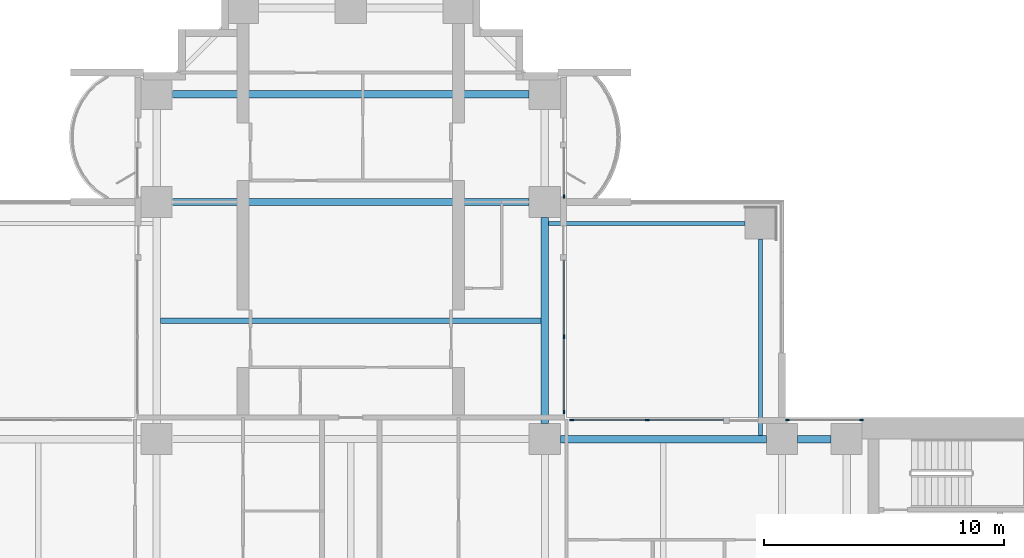
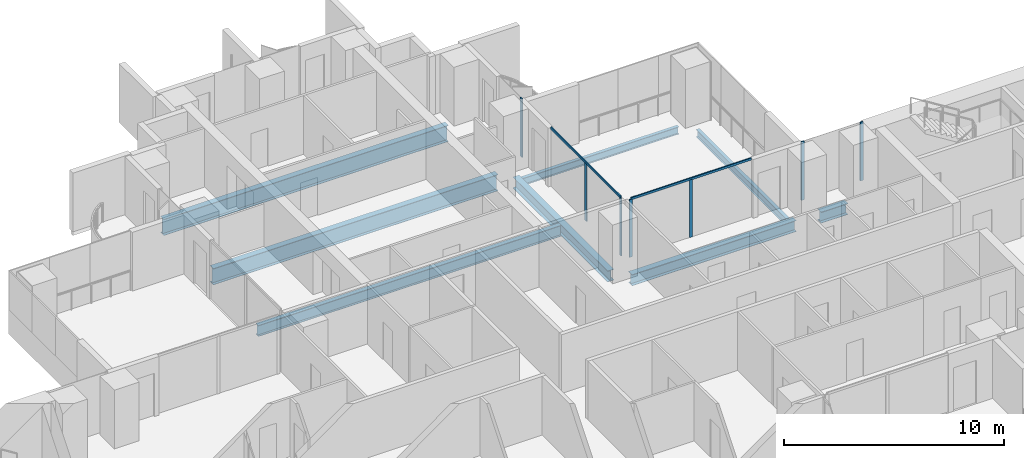
# One storey, part 6 of 21: 9 members, 8 beams, 4 elements without a shape of their own.
"""IFC4 building model written with IfcOpenShell, lengths in metres."""

from ifc_helpers import new_model, si_unit, direction, frame, origin, origin_2d, place, context, subcontext, project, spatial, rectangle, i_section, extrude, material, material_profile, profile_set, type_object, element, aggregate, save


model = new_model("IFC4")

# Units and contexts
model_context = context("Model", 3, precision=1e-05, world=origin(), true_north=direction((0.0, 1.0)))
body_context = subcontext(model_context, "Body", "Model", "MODEL_VIEW")
ifc_project = project(units=[si_unit("LENGTHUNIT", "METRE"), si_unit("AREAUNIT", "SQUARE_METRE"), si_unit("VOLUMEUNIT", "CUBIC_METRE"), si_unit("PLANEANGLEUNIT", "RADIAN"), si_unit("MASSUNIT", "GRAM", prefix="KILO")], contexts=[model_context])

# Site, building, storey
site_placement = place(None, origin())
site = spatial("IfcSite", under=ifc_project, at=site_placement, CompositionType="ELEMENT")
building_placement = place(site_placement, origin())
building = spatial("IfcBuilding", under=site, at=building_placement, Name="Perihelion Cross Residences", CompositionType="ELEMENT")
storey_placement = place(building_placement, frame((0.0, 0.0, 54.0)))
storey = spatial("IfcBuildingStorey", under=building, at=storey_placement, Name="L10", CompositionType="ELEMENT", Elevation=54.0)

# Curtain wall, members
ifc_material_1 = material(Name="Bronze anodised aluminium, tinted glazing", Category="aluminium")
curtain_wall_type = type_object("IfcCurtainWallType", Name="CW1", PredefinedType="NOTDEFINED", material=ifc_material_1)
curtain_wall_1_placement = place(storey_placement, origin())
curtain_wall_1 = element("IfcCurtainWall", 1, at=curtain_wall_1_placement, inside=storey, type_object=curtain_wall_type, Name="Curtain wall CW1 L10 east side north bay 1", PredefinedType="NOTDEFINED")
ifc_material_2 = material(Name="Bronze anodised aluminium", Category="aluminium")
ifc_material_profile_1 = material_profile(ifc_material_2, rectangle(XDim=0.06005859375, YDim=0.159912109375, at=origin_2d()), Name="CW1 mullion")
ifc_profile_set_1 = profile_set([ifc_material_profile_1], Name="Bronze anodised aluminium")
member_type_1 = type_object("IfcMemberType", Name="CW1 mullion", PredefinedType="MULLION", material=ifc_profile_set_1)
member_1_placement = place(storey_placement, frame((21.320068359375, 8.89990234375, 0.0), z_axis=(0.0, 0.0, 1.0), x_axis=(0.0, -1.0, 0.0)))
member_1 = element("IfcMember", 2, at=member_1_placement, type_object=member_type_1, Name="CW1 mullion 1", PredefinedType="MULLION", context=body_context, shape_type="SweptSolid", body=[
    extrude(rectangle(XDim=0.06005859375, YDim=0.159912109375, at=origin_2d()), origin(), (0.0, 0.0, 1.0), 3.25),
])
member_2_placement = place(storey_placement, frame((18.22998046875, 8.89990234375, 0.0), z_axis=(0.0, 0.0, 1.0), x_axis=(0.0, -1.0, 0.0)))
member_2 = element("IfcMember", 3, at=member_2_placement, type_object=member_type_1, Name="CW1 mullion 2", PredefinedType="MULLION", context=body_context, shape_type="SweptSolid", body=[
    extrude(rectangle(XDim=0.06005859375, YDim=0.159912109375, at=origin_2d()), origin(), (0.0, 0.0, 1.0), 3.25),
])
aggregate(curtain_wall_1, [member_1, member_2])

curtain_wall_2_placement = place(storey_placement, origin())
curtain_wall_2 = element("IfcCurtainWall", 4, at=curtain_wall_2_placement, inside=storey, type_object=curtain_wall_type, Name="Curtain wall CW1 L10 east side north bay 2", PredefinedType="NOTDEFINED")
member_3_placement = place(storey_placement, frame((12.375, 8.89990234375, 0.0), z_axis=(0.0, 0.0, 1.0), x_axis=(0.0, -1.0, 0.0)))
member_3 = element("IfcMember", 5, at=member_3_placement, type_object=member_type_1, Name="CW1 mullion 2", PredefinedType="MULLION", context=body_context, shape_type="SweptSolid", body=[
    extrude(rectangle(XDim=0.06005859375, YDim=0.159912109375, at=origin_2d()), origin(), (0.0, 0.0, 1.0), 3.18994140625),
])
member_4_placement = place(storey_placement, frame((9.22998046875, 8.89990234375, 0.0), z_axis=(0.0, 0.0, 1.0), x_axis=(0.0, -1.0, 0.0)))
member_4 = element("IfcMember", 6, at=member_4_placement, type_object=member_type_1, Name="CW1 mullion 3", PredefinedType="MULLION", context=body_context, shape_type="SweptSolid", body=[
    extrude(rectangle(XDim=0.06005859375, YDim=0.159912109375, at=origin_2d()), origin(), (0.0, 0.0, 1.0), 3.18994140625),
])

curtain_wall_3_placement = place(storey_placement, origin())
curtain_wall_3 = element("IfcCurtainWall", 7, at=curtain_wall_3_placement, inside=storey, type_object=curtain_wall_type, Name="Curtain wall CW1 L10 north side east bay 1", PredefinedType="NOTDEFINED")
member_5_placement = place(storey_placement, frame((8.89990234375, 9.22998046875, 0.0), z_axis=(0.0, 0.0, 1.0), x_axis=(-1.0, 0.0, 0.0)))
member_5 = element("IfcMember", 8, at=member_5_placement, type_object=member_type_1, Name="CW1 mullion 1", PredefinedType="MULLION", context=body_context, shape_type="SweptSolid", body=[
    extrude(rectangle(XDim=0.06005859375, YDim=0.159912109375, at=origin_2d()), origin(), (0.0, 0.0, 1.0), 3.18994140625),
])
member_6_placement = place(storey_placement, frame((8.89990234375, 12.375, 0.0), z_axis=(0.0, 0.0, 1.0), x_axis=(-1.0, 0.0, 0.0)))
member_6 = element("IfcMember", 9, at=member_6_placement, type_object=member_type_1, Name="CW1 mullion 2", PredefinedType="MULLION", context=body_context, shape_type="SweptSolid", body=[
    extrude(rectangle(XDim=0.06005859375, YDim=0.159912109375, at=origin_2d()), origin(), (0.0, 0.0, 1.0), 3.18994140625),
])

# Curtain wall, member
curtain_wall_4_placement = place(storey_placement, origin())
curtain_wall_4 = element("IfcCurtainWall", 10, at=curtain_wall_4_placement, inside=storey, type_object=curtain_wall_type, Name="Curtain wall CW1 L10 north side east bay 2", PredefinedType="NOTDEFINED")
member_7_placement = place(storey_placement, frame((8.89990234375, 18.22998046875, 0.0), z_axis=(0.0, 0.0, 1.0), x_axis=(-1.0, 0.0, 0.0)))
member_7 = element("IfcMember", 11, at=member_7_placement, type_object=member_type_1, Name="CW1 mullion 1", PredefinedType="MULLION", context=body_context, shape_type="SweptSolid", body=[
    extrude(rectangle(XDim=0.06005859375, YDim=0.159912109375, at=origin_2d()), origin(), (0.0, 0.0, 1.0), 3.25),
])
aggregate(curtain_wall_4, [member_7])

# Member
ifc_material_3 = material(Name="Bronze anodised aluminium", Category="aluminium")
ifc_material_profile_2 = material_profile(ifc_material_3, rectangle(XDim=0.06005859375, YDim=0.1201171875, at=origin_2d()), Name="CW1 transom")
ifc_profile_set_2 = profile_set([ifc_material_profile_2], Name="Bronze anodised aluminium")
member_type_2 = type_object("IfcMemberType", Name="CW1 transom", PredefinedType="USERDEFINED", material=ifc_profile_set_2)
member_8_placement = place(storey_placement, frame((15.550048828125, 8.89990234375, 3.219970703125), z_axis=(-1.0, 0.0, 0.0), x_axis=(0.0, -1.0, 0.0)))
member_8 = element("IfcMember", 12, at=member_8_placement, type_object=member_type_2, Name="CW1 head transom", ObjectType="TRANSOM", PredefinedType="USERDEFINED", context=body_context, shape_type="SweptSolid", body=[
    extrude(rectangle(XDim=0.06005859375, YDim=0.1201171875, at=origin_2d()), origin(), (0.0, 0.0, 1.0), 6.320068359375),
])

aggregate(curtain_wall_2, [member_3, member_4, member_8])

member_9_placement = place(storey_placement, frame((8.89990234375, 9.22998046875, 3.219970703125), z_axis=(0.0, 1.0, 0.0), x_axis=(-1.0, 0.0, 0.0)))
member_9 = element("IfcMember", 13, at=member_9_placement, type_object=member_type_2, Name="CW1 head transom", ObjectType="TRANSOM", PredefinedType="USERDEFINED", context=body_context, shape_type="SweptSolid", body=[
    extrude(rectangle(XDim=0.06005859375, YDim=0.1201171875, at=origin_2d()), origin(), (0.0, 0.0, 1.0), 6.320068359375),
])

aggregate(curtain_wall_3, [member_5, member_6, member_9])

# Beams
ifc_material_4 = material(Name="Steel S355", Category="steel")
ifc_material_profile_3 = material_profile(ifc_material_4, i_section(OverallWidth=0.177978515625, OverallDepth=0.406005859375, WebThickness=0.0078125, FlangeThickness=0.0126953125, at=origin_2d()), Name="W410x60")
ifc_profile_set_3 = profile_set([ifc_material_profile_3], Name="Steel S355")
beam_type_1 = type_object("IfcBeamType", Name="Core edge beam W410x60", PredefinedType="BEAM", material=ifc_profile_set_3)
for number, where, z_axis, x_axis, name in (
    (14, (17.10009765625, 8.262451171875, -0.452880859375), (0.0, 1.0, 0.0), (-1.0, 0.0, 0.0), "Core edge beam TB2 L10 corner no. 7"),
    (15, (8.262451171875, 17.10009765625, -0.452880859375), (1.0, 0.0, 0.0), (0.0, 1.0, 0.0), "Core edge beam TB2 L10 corner no. 8"),
):
    element("IfcBeam", number, at=place(storey_placement, frame(where, z_axis=z_axis, x_axis=x_axis)), inside=storey, type_object=beam_type_1, Name=name, PredefinedType="BEAM", context=body_context, shape_type="SweptSolid", body=[
        extrude(i_section(OverallWidth=0.177978515625, OverallDepth=0.406005859375, WebThickness=0.0078125, FlangeThickness=0.0126953125, at=origin_2d()), origin(), (0.0, 0.0, 1.0), 8.1875),
    ])
ifc_material_5 = material(Name="Steel S355", Category="steel")
ifc_material_profile_4 = material_profile(ifc_material_5, i_section(OverallWidth=0.324951171875, OverallDepth=0.616943359375, WebThickness=0.013916015625, FlangeThickness=0.021484375, at=origin_2d()), Name="W610x174")
ifc_profile_set_4 = profile_set([ifc_material_profile_4], Name="Steel S355")
beam_type_2 = type_object("IfcBeamType", Name="Edge beam W610x174", PredefinedType="SPANDREL", material=ifc_profile_set_4)
beam_1_placement = place(storey_placement, frame((20.050048828125, 8.10009765625, -0.55859375), z_axis=(-1.0, 0.0, 0.0), x_axis=(0.0, -1.0, 0.0)))
element("IfcBeam", 16, at=beam_1_placement, inside=storey, type_object=beam_type_2, Name="Edge beam SB2 L10 no. 14", PredefinedType="SPANDREL", context=body_context, shape_type="SweptSolid", body=[
    extrude(i_section(OverallWidth=0.324951171875, OverallDepth=0.616943359375, WebThickness=0.013916015625, FlangeThickness=0.021484375, at=origin_2d()), origin(), (0.0, 0.0, 1.0), 1.400146484375),
])
for number, where, z_axis, x_axis, name in (
    (17, (17.35009765625, 8.10009765625, -0.55859375), (-1.0, 0.0, 0.0), (0.0, -1.0, 0.0), "Edge beam SB2 L10 no. 13"),
    (18, (8.10009765625, 8.75, -0.55859375), (0.0, 1.0, 0.0), (-1.0, 0.0, 0.0), "Edge beam SB2 L10 no. 20"),
):
    element("IfcBeam", number, at=place(storey_placement, frame(where, z_axis=z_axis, x_axis=x_axis)), inside=storey, type_object=beam_type_2, Name=name, PredefinedType="SPANDREL", context=body_context, shape_type="SweptSolid", body=[
        extrude(i_section(OverallWidth=0.324951171875, OverallDepth=0.616943359375, WebThickness=0.013916015625, FlangeThickness=0.021484375, at=origin_2d()), origin(), (0.0, 0.0, 1.0), 8.60009765625),
    ])
ifc_material_6 = material(Name="Steel S355", Category="steel")
ifc_material_profile_5 = material_profile(ifc_material_6, i_section(OverallWidth=0.304931640625, OverallDepth=0.904052734375, WebThickness=0.01513671875, FlangeThickness=0.02001953125, at=origin_2d()), Name="W920x201")
ifc_profile_set_5 = profile_set([ifc_material_profile_5], Name="Steel S355")
beam_type_3 = type_object("IfcBeamType", Name="Floor girder W920x201", PredefinedType="BEAM", material=ifc_profile_set_5)
for number, where, z_axis, x_axis, name in (
    (19, (-7.449951171875, 18.0, -0.701904296875), (1.0, 0.0, 0.0), (0.0, 1.0, 0.0), "Girder G2 L10 no. 5"),
    (20, (-7.449951171875, 22.5, -0.701904296875), (1.0, 0.0, 0.0), (0.0, 1.0, 0.0), "Girder G2 L10 no. 6"),
):
    element("IfcBeam", number, at=place(storey_placement, frame(where, z_axis=z_axis, x_axis=x_axis)), inside=storey, type_object=beam_type_3, Name=name, PredefinedType="BEAM", context=body_context, shape_type="SweptSolid", body=[
        extrude(i_section(OverallWidth=0.304931640625, OverallDepth=0.904052734375, WebThickness=0.01513671875, FlangeThickness=0.02001953125, at=origin_2d()), origin(), (0.0, 0.0, 1.0), 14.89990234375),
    ])
ifc_material_7 = material(Name="Steel S355", Category="steel")
ifc_material_profile_6 = material_profile(ifc_material_7, i_section(OverallWidth=0.22900390625, OverallDepth=0.612060546875, WebThickness=0.011962890625, FlangeThickness=0.01953125, at=origin_2d()), Name="W610x125")
ifc_profile_set_6 = profile_set([ifc_material_profile_6], Name="Steel S355")
beam_type_4 = type_object("IfcBeamType", Name="Floor joist W610x125", PredefinedType="JOIST", material=ifc_profile_set_6)
beam_2_placement = place(storey_placement, frame((-7.9375, 13.050048828125, -0.555908203125), z_axis=(1.0, 0.0, 0.0), x_axis=(0.0, 1.0, 0.0)))
element("IfcBeam", 21, at=beam_2_placement, inside=storey, type_object=beam_type_4, Name="Joist J3 L10 no. 4", PredefinedType="JOIST", context=body_context, shape_type="SweptSolid", body=[
    extrude(i_section(OverallWidth=0.22900390625, OverallDepth=0.612060546875, WebThickness=0.011962890625, FlangeThickness=0.01953125, at=origin_2d()), origin(), (0.0, 0.0, 1.0), 15.875),
])

save(model, "model.ifc")
